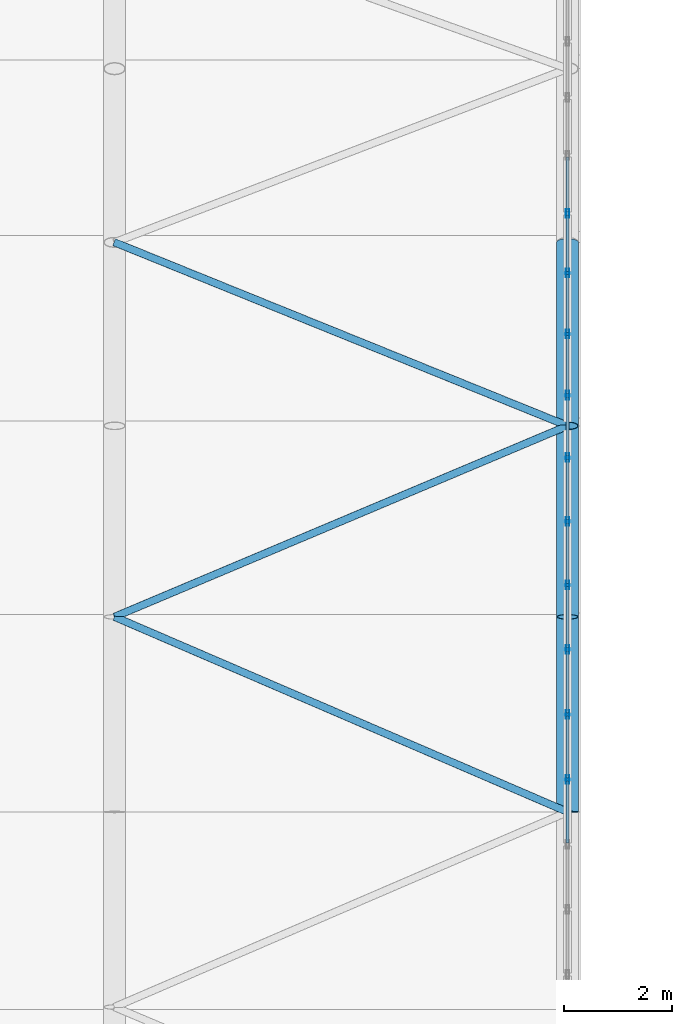
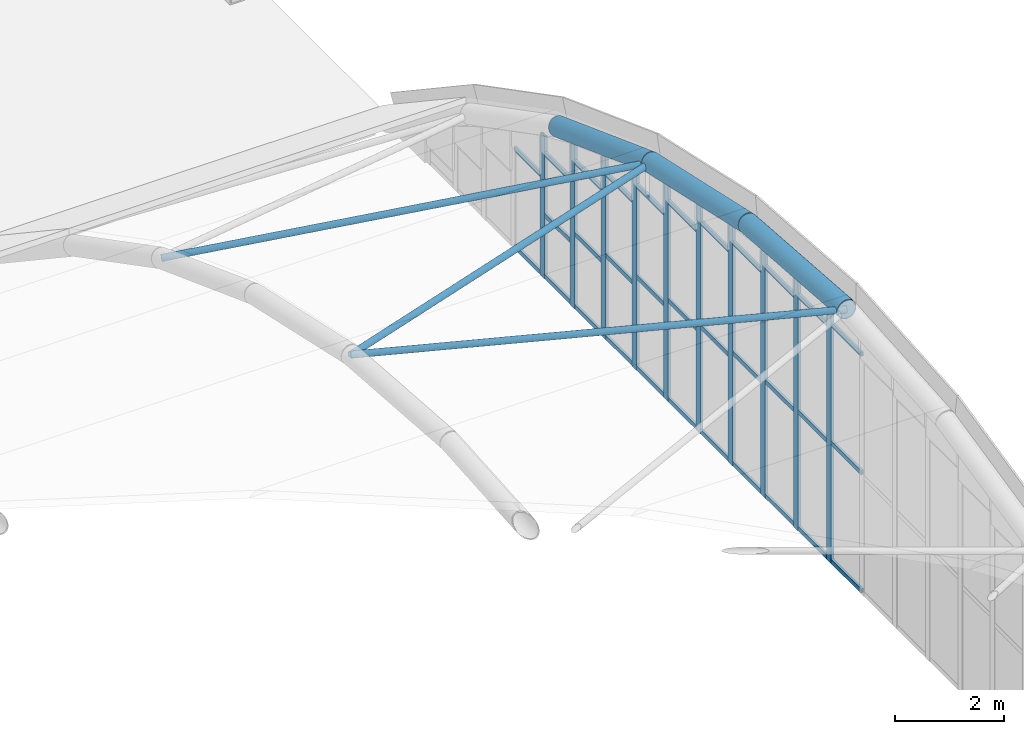
# One storey, part 12 of 77: 48 members, 1 element without a shape of its own.
"""IFC4 building model written with IfcOpenShell, lengths in metres."""

from ifc_helpers import new_model, si_unit, direction, frame, origin, origin_2d, place, context, subcontext, project, spatial, hollow_rectangle, hollow_circle, extrude, material, material_profile, profile_set, type_object, element, aggregate, save


model = new_model("IFC4")

# Units and contexts
model_context = context("Model", 3, precision=1e-05, world=origin(), true_north=direction((0.0, 1.0)))
body_context = subcontext(model_context, "Body", "Model", "MODEL_VIEW")
ifc_project = project(units=[si_unit("LENGTHUNIT", "METRE"), si_unit("AREAUNIT", "SQUARE_METRE"), si_unit("VOLUMEUNIT", "CUBIC_METRE"), si_unit("PLANEANGLEUNIT", "RADIAN"), si_unit("MASSUNIT", "GRAM", prefix="KILO")], contexts=[model_context])

# Site, building, storey
site_placement = place(None, origin())
site = spatial("IfcSite", under=ifc_project, at=site_placement, CompositionType="ELEMENT")
building_placement = place(site_placement, origin())
building = spatial("IfcBuilding", under=site, at=building_placement, Name="Catenary Quay Ferry Terminal", CompositionType="ELEMENT")
storey_placement = place(building_placement, frame((0.0, 0.0, 10.800048828125)))
storey = spatial("IfcBuildingStorey", under=building, at=storey_placement, Name="L02", CompositionType="ELEMENT", Elevation=10.800048828125)

# Members
ifc_material_1 = material(Name="Steel S355", Category="steel")
ifc_material_profile_1 = material_profile(ifc_material_1, hollow_circle(Radius=0.06982421875, WallThickness=0.008056640625, at=origin_2d()), Name="CHS 139.7x8")
ifc_profile_set_1 = profile_set([ifc_material_profile_1], Name="Steel S355")
member_type_1 = type_object("IfcMemberType", Name="BR1 CHS 139.7x8", PredefinedType="BRACE", material=ifc_profile_set_1)
member_1_placement = place(storey_placement, frame((92.39990234375, 84.0, 6.0), z_axis=(-0.918038213702, 0.395408018626, -0.029297388788), x_axis=(-0.395577824611, -0.918432460596, 0.0)))
element("IfcMember", 1, at=member_1_placement, inside=storey, type_object=member_type_1, Name="Roof brace BR-VA-08-06", PredefinedType="BRACE", context=body_context, shape_type="SweptSolid", body=[
    extrude(hollow_circle(Radius=0.06982421875, WallThickness=0.008056640625, at=origin_2d()), origin(), (0.0, 0.0, 1.0), 9.14990234375),
])
for number, where, z_axis, x_axis, name in (
    (2, (84.0, 87.617919921875, 5.73193359375), (0.918018139604, 0.387101295395, -0.085995828168), (-0.388540645343, 0.921431585586, 0.0), "Roof brace BR-VA-08-07"),
    (3, (92.39990234375, 91.159912109375, 4.945068359375), (-0.918017489966, 0.37181229212, -0.137838701191), (-0.375395559198, -0.926864701094, 0.0), "Roof brace BR-VA-08-08"),
):
    element("IfcMember", number, at=place(storey_placement, frame(where, z_axis=z_axis, x_axis=x_axis)), inside=storey, type_object=member_type_1, Name=name, PredefinedType="BRACE", context=body_context, shape_type="SweptSolid", body=[
        extrude(hollow_circle(Radius=0.06982421875, WallThickness=0.008056640625, at=origin_2d()), origin(), (0.0, 0.0, 1.0), 9.150146484375),
    ])

# Curtain wall, members
ifc_material_2 = material(Name="Aluminium and glass", Category="aluminium")
curtain_wall_type = type_object("IfcCurtainWallType", Name="CWA", PredefinedType="NOTDEFINED", material=ifc_material_2)
curtain_wall_placement = place(storey_placement, origin())
curtain_wall = element("IfcCurtainWall", 4, at=curtain_wall_placement, inside=storey, type_object=curtain_wall_type, Name="Arch arrivals hall curtain wall CW12", PredefinedType="NOTDEFINED")
ifc_material_3 = material(Name="Aluminium", Category="aluminium")
ifc_material_profile_2 = material_profile(ifc_material_3, hollow_rectangle(XDim=0.06005859375, YDim=0.159912109375, WallThickness=0.006103515625, at=origin_2d()), Name="MU5")
ifc_profile_set_2 = profile_set([ifc_material_profile_2], Name="Aluminium")
member_type_2 = type_object("IfcMemberType", Name="MU5", PredefinedType="MULLION", material=ifc_profile_set_2)
member_2_placement = place(storey_placement, frame((92.39990234375, 84.60302734375, 0.0), z_axis=(0.0, 0.0, 1.0), x_axis=(-1.0, 0.0, 0.0)))
member_2 = element("IfcMember", 5, at=member_2_placement, type_object=member_type_2, Name="CW12 mullion 15", PredefinedType="MULLION", context=body_context, shape_type="SweptSolid", body=[
    extrude(hollow_rectangle(XDim=0.06005859375, YDim=0.159912109375, WallThickness=0.006103515625, at=origin_2d()), origin(), (0.0, 0.0, 1.0), 5.7353515625),
])
member_3_placement = place(storey_placement, frame((92.39990234375, 85.80908203125, 0.0), z_axis=(0.0, 0.0, 1.0), x_axis=(-1.0, 0.0, 0.0)))
member_3 = element("IfcMember", 6, at=member_3_placement, type_object=member_type_2, Name="CW12 mullion 16", PredefinedType="MULLION", context=body_context, shape_type="SweptSolid", body=[
    extrude(hollow_rectangle(XDim=0.06005859375, YDim=0.159912109375, WallThickness=0.006103515625, at=origin_2d()), origin(), (0.0, 0.0, 1.0), 5.64599609375),
])
member_4_placement = place(storey_placement, frame((92.39990234375, 87.014892578125, 0.0), z_axis=(0.0, 0.0, 1.0), x_axis=(-1.0, 0.0, 0.0)))
member_4 = element("IfcMember", 7, at=member_4_placement, type_object=member_type_2, Name="CW12 mullion 17", PredefinedType="MULLION", context=body_context, shape_type="SweptSolid", body=[
    extrude(hollow_rectangle(XDim=0.06005859375, YDim=0.159912109375, WallThickness=0.006103515625, at=origin_2d()), origin(), (0.0, 0.0, 1.0), 5.556640625),
])
member_5_placement = place(storey_placement, frame((92.39990234375, 88.208251953125, 0.0), z_axis=(0.0, 0.0, 1.0), x_axis=(-1.0, 0.0, 0.0)))
member_5 = element("IfcMember", 8, at=member_5_placement, type_object=member_type_2, Name="CW12 mullion 18", PredefinedType="MULLION", context=body_context, shape_type="SweptSolid", body=[
    extrude(hollow_rectangle(XDim=0.06005859375, YDim=0.159912109375, WallThickness=0.006103515625, at=origin_2d()), origin(), (0.0, 0.0, 1.0), 5.380859375),
])
member_6_placement = place(storey_placement, frame((92.39990234375, 89.388916015625, 0.0), z_axis=(0.0, 0.0, 1.0), x_axis=(-1.0, 0.0, 0.0)))
member_6 = element("IfcMember", 9, at=member_6_placement, type_object=member_type_2, Name="CW12 mullion 19", PredefinedType="MULLION", context=body_context, shape_type="SweptSolid", body=[
    extrude(hollow_rectangle(XDim=0.06005859375, YDim=0.159912109375, WallThickness=0.006103515625, at=origin_2d()), origin(), (0.0, 0.0, 1.0), 5.118408203125),
])
member_7_placement = place(storey_placement, frame((92.39990234375, 90.569580078125, 0.0), z_axis=(0.0, 0.0, 1.0), x_axis=(-1.0, 0.0, 0.0)))
member_7 = element("IfcMember", 10, at=member_7_placement, type_object=member_type_2, Name="CW12 mullion 20", PredefinedType="MULLION", context=body_context, shape_type="SweptSolid", body=[
    extrude(hollow_rectangle(XDim=0.06005859375, YDim=0.159912109375, WallThickness=0.006103515625, at=origin_2d()), origin(), (0.0, 0.0, 1.0), 4.856201171875),
])
member_8_placement = place(storey_placement, frame((92.39990234375, 91.72705078125, 0.0), z_axis=(0.0, 0.0, 1.0), x_axis=(-1.0, 0.0, 0.0)))
member_8 = element("IfcMember", 11, at=member_8_placement, type_object=member_type_2, Name="CW12 mullion 21", PredefinedType="MULLION", context=body_context, shape_type="SweptSolid", body=[
    extrude(hollow_rectangle(XDim=0.06005859375, YDim=0.159912109375, WallThickness=0.006103515625, at=origin_2d()), origin(), (0.0, 0.0, 1.0), 4.514892578125),
])
member_9_placement = place(storey_placement, frame((92.39990234375, 92.861083984375, 0.0), z_axis=(0.0, 0.0, 1.0), x_axis=(-1.0, 0.0, 0.0)))
member_9 = element("IfcMember", 12, at=member_9_placement, type_object=member_type_2, Name="CW12 mullion 22", PredefinedType="MULLION", context=body_context, shape_type="SweptSolid", body=[
    extrude(hollow_rectangle(XDim=0.06005859375, YDim=0.159912109375, WallThickness=0.006103515625, at=origin_2d()), origin(), (0.0, 0.0, 1.0), 4.094482421875),
])
member_10_placement = place(storey_placement, frame((92.39990234375, 93.9951171875, 0.0), z_axis=(0.0, 0.0, 1.0), x_axis=(-1.0, 0.0, 0.0)))
member_10 = element("IfcMember", 13, at=member_10_placement, type_object=member_type_2, Name="CW12 mullion 23", PredefinedType="MULLION", context=body_context, shape_type="SweptSolid", body=[
    extrude(hollow_rectangle(XDim=0.06005859375, YDim=0.159912109375, WallThickness=0.006103515625, at=origin_2d()), origin(), (0.0, 0.0, 1.0), 3.674072265625),
])
member_11_placement = place(storey_placement, frame((92.39990234375, 95.0986328125, 0.0), z_axis=(0.0, 0.0, 1.0), x_axis=(-1.0, 0.0, 0.0)))
member_11 = element("IfcMember", 14, at=member_11_placement, type_object=member_type_2, Name="CW12 mullion 24", PredefinedType="MULLION", context=body_context, shape_type="SweptSolid", body=[
    extrude(hollow_rectangle(XDim=0.06005859375, YDim=0.159912109375, WallThickness=0.006103515625, at=origin_2d()), origin(), (0.0, 0.0, 1.0), 3.185546875),
])
ifc_material_4 = material(Name="Aluminium", Category="aluminium")
ifc_material_profile_3 = material_profile(ifc_material_4, hollow_rectangle(XDim=0.050048828125, YDim=0.10009765625, WallThickness=0.00390625, at=origin_2d()), Name="TR4")
ifc_profile_set_3 = profile_set([ifc_material_profile_3], Name="Aluminium")
member_type_3 = type_object("IfcMemberType", Name="TR4", PredefinedType="USERDEFINED", material=ifc_profile_set_3)
member_12_placement = place(storey_placement, frame((92.39990234375, 83.427001953125, 0.050048828125), z_axis=(0.0, 1.0, 0.0), x_axis=(-1.0, 0.0, 0.0)))
member_12 = element("IfcMember", 15, at=member_12_placement, type_object=member_type_3, Name="CW12 transom 14.1", ObjectType="TRANSOM", PredefinedType="USERDEFINED", context=body_context, shape_type="SweptSolid", body=[
    extrude(hollow_rectangle(XDim=0.050048828125, YDim=0.10009765625, WallThickness=0.00390625, at=origin_2d()), origin(), (0.0, 0.0, 1.0), 1.14599609375),
])
member_13_placement = place(storey_placement, frame((92.39990234375, 83.427001953125, 2.697509765625), z_axis=(0.0, 1.0, 0.0), x_axis=(-1.0, 0.0, 0.0)))
member_13 = element("IfcMember", 16, at=member_13_placement, type_object=member_type_3, Name="CW12 transom 14.2", ObjectType="TRANSOM", PredefinedType="USERDEFINED", context=body_context, shape_type="SweptSolid", body=[
    extrude(hollow_rectangle(XDim=0.050048828125, YDim=0.10009765625, WallThickness=0.00390625, at=origin_2d()), origin(), (0.0, 0.0, 1.0), 1.14599609375),
])
member_14_placement = place(storey_placement, frame((92.39990234375, 83.427001953125, 5.34521484375), z_axis=(0.0, 1.0, 0.0), x_axis=(-1.0, 0.0, 0.0)))
member_14 = element("IfcMember", 17, at=member_14_placement, type_object=member_type_3, Name="CW12 transom 14.3", ObjectType="TRANSOM", PredefinedType="USERDEFINED", context=body_context, shape_type="SweptSolid", body=[
    extrude(hollow_rectangle(XDim=0.050048828125, YDim=0.10009765625, WallThickness=0.00390625, at=origin_2d()), origin(), (0.0, 0.0, 1.0), 1.14599609375),
])
member_15_placement = place(storey_placement, frame((92.39990234375, 84.633056640625, 0.050048828125), z_axis=(0.0, 1.0, 0.0), x_axis=(-1.0, 0.0, 0.0)))
member_15 = element("IfcMember", 18, at=member_15_placement, type_object=member_type_3, Name="CW12 transom 15.1", ObjectType="TRANSOM", PredefinedType="USERDEFINED", context=body_context, shape_type="SweptSolid", body=[
    extrude(hollow_rectangle(XDim=0.050048828125, YDim=0.10009765625, WallThickness=0.00390625, at=origin_2d()), origin(), (0.0, 0.0, 1.0), 1.14599609375),
])
member_16_placement = place(storey_placement, frame((92.39990234375, 84.633056640625, 2.65283203125), z_axis=(0.0, 1.0, 0.0), x_axis=(-1.0, 0.0, 0.0)))
member_16 = element("IfcMember", 19, at=member_16_placement, type_object=member_type_3, Name="CW12 transom 15.2", ObjectType="TRANSOM", PredefinedType="USERDEFINED", context=body_context, shape_type="SweptSolid", body=[
    extrude(hollow_rectangle(XDim=0.050048828125, YDim=0.10009765625, WallThickness=0.00390625, at=origin_2d()), origin(), (0.0, 0.0, 1.0), 1.14599609375),
])
member_17_placement = place(storey_placement, frame((92.39990234375, 84.633056640625, 5.255859375), z_axis=(0.0, 1.0, 0.0), x_axis=(-1.0, 0.0, 0.0)))
member_17 = element("IfcMember", 20, at=member_17_placement, type_object=member_type_3, Name="CW12 transom 15.3", ObjectType="TRANSOM", PredefinedType="USERDEFINED", context=body_context, shape_type="SweptSolid", body=[
    extrude(hollow_rectangle(XDim=0.050048828125, YDim=0.10009765625, WallThickness=0.00390625, at=origin_2d()), origin(), (0.0, 0.0, 1.0), 1.14599609375),
])
member_18_placement = place(storey_placement, frame((92.39990234375, 85.839111328125, 0.050048828125), z_axis=(0.0, 1.0, 0.0), x_axis=(-1.0, 0.0, 0.0)))
member_18 = element("IfcMember", 21, at=member_18_placement, type_object=member_type_3, Name="CW12 transom 16.1", ObjectType="TRANSOM", PredefinedType="USERDEFINED", context=body_context, shape_type="SweptSolid", body=[
    extrude(hollow_rectangle(XDim=0.050048828125, YDim=0.10009765625, WallThickness=0.00390625, at=origin_2d()), origin(), (0.0, 0.0, 1.0), 1.14599609375),
])
member_19_placement = place(storey_placement, frame((92.39990234375, 85.839111328125, 2.6083984375), z_axis=(0.0, 1.0, 0.0), x_axis=(-1.0, 0.0, 0.0)))
member_19 = element("IfcMember", 22, at=member_19_placement, type_object=member_type_3, Name="CW12 transom 16.2", ObjectType="TRANSOM", PredefinedType="USERDEFINED", context=body_context, shape_type="SweptSolid", body=[
    extrude(hollow_rectangle(XDim=0.050048828125, YDim=0.10009765625, WallThickness=0.00390625, at=origin_2d()), origin(), (0.0, 0.0, 1.0), 1.14599609375),
])
member_20_placement = place(storey_placement, frame((92.39990234375, 85.839111328125, 5.16650390625), z_axis=(0.0, 1.0, 0.0), x_axis=(-1.0, 0.0, 0.0)))
member_20 = element("IfcMember", 23, at=member_20_placement, type_object=member_type_3, Name="CW12 transom 16.3", ObjectType="TRANSOM", PredefinedType="USERDEFINED", context=body_context, shape_type="SweptSolid", body=[
    extrude(hollow_rectangle(XDim=0.050048828125, YDim=0.10009765625, WallThickness=0.00390625, at=origin_2d()), origin(), (0.0, 0.0, 1.0), 1.14599609375),
])
member_21_placement = place(storey_placement, frame((92.39990234375, 87.044921875, 0.050048828125), z_axis=(0.0, 1.0, 0.0), x_axis=(-1.0, 0.0, 0.0)))
member_21 = element("IfcMember", 24, at=member_21_placement, type_object=member_type_3, Name="CW12 transom 17.1", ObjectType="TRANSOM", PredefinedType="USERDEFINED", context=body_context, shape_type="SweptSolid", body=[
    extrude(hollow_rectangle(XDim=0.050048828125, YDim=0.10009765625, WallThickness=0.00390625, at=origin_2d()), origin(), (0.0, 0.0, 1.0), 1.13330078125),
])
member_22_placement = place(storey_placement, frame((92.39990234375, 87.044921875, 2.520263671875), z_axis=(0.0, 1.0, 0.0), x_axis=(-1.0, 0.0, 0.0)))
member_22 = element("IfcMember", 25, at=member_22_placement, type_object=member_type_3, Name="CW12 transom 17.2", ObjectType="TRANSOM", PredefinedType="USERDEFINED", context=body_context, shape_type="SweptSolid", body=[
    extrude(hollow_rectangle(XDim=0.050048828125, YDim=0.10009765625, WallThickness=0.00390625, at=origin_2d()), origin(), (0.0, 0.0, 1.0), 1.13330078125),
])
member_23_placement = place(storey_placement, frame((92.39990234375, 87.044921875, 4.99072265625), z_axis=(0.0, 1.0, 0.0), x_axis=(-1.0, 0.0, 0.0)))
member_23 = element("IfcMember", 26, at=member_23_placement, type_object=member_type_3, Name="CW12 transom 17.3", ObjectType="TRANSOM", PredefinedType="USERDEFINED", context=body_context, shape_type="SweptSolid", body=[
    extrude(hollow_rectangle(XDim=0.050048828125, YDim=0.10009765625, WallThickness=0.00390625, at=origin_2d()), origin(), (0.0, 0.0, 1.0), 1.13330078125),
])
member_24_placement = place(storey_placement, frame((92.39990234375, 88.23828125, 0.050048828125), z_axis=(0.0, 1.0, 0.0), x_axis=(-1.0, 0.0, 0.0)))
member_24 = element("IfcMember", 27, at=member_24_placement, type_object=member_type_3, Name="CW12 transom 18.1", ObjectType="TRANSOM", PredefinedType="USERDEFINED", context=body_context, shape_type="SweptSolid", body=[
    extrude(hollow_rectangle(XDim=0.050048828125, YDim=0.10009765625, WallThickness=0.00390625, at=origin_2d()), origin(), (0.0, 0.0, 1.0), 1.12060546875),
])
member_25_placement = place(storey_placement, frame((92.39990234375, 88.23828125, 2.38916015625), z_axis=(0.0, 1.0, 0.0), x_axis=(-1.0, 0.0, 0.0)))
member_25 = element("IfcMember", 28, at=member_25_placement, type_object=member_type_3, Name="CW12 transom 18.2", ObjectType="TRANSOM", PredefinedType="USERDEFINED", context=body_context, shape_type="SweptSolid", body=[
    extrude(hollow_rectangle(XDim=0.050048828125, YDim=0.10009765625, WallThickness=0.00390625, at=origin_2d()), origin(), (0.0, 0.0, 1.0), 1.12060546875),
])
member_26_placement = place(storey_placement, frame((92.39990234375, 88.23828125, 4.728515625), z_axis=(0.0, 1.0, 0.0), x_axis=(-1.0, 0.0, 0.0)))
member_26 = element("IfcMember", 29, at=member_26_placement, type_object=member_type_3, Name="CW12 transom 18.3", ObjectType="TRANSOM", PredefinedType="USERDEFINED", context=body_context, shape_type="SweptSolid", body=[
    extrude(hollow_rectangle(XDim=0.050048828125, YDim=0.10009765625, WallThickness=0.00390625, at=origin_2d()), origin(), (0.0, 0.0, 1.0), 1.12060546875),
])
member_27_placement = place(storey_placement, frame((92.39990234375, 89.4189453125, 0.050048828125), z_axis=(0.0, 1.0, 0.0), x_axis=(-1.0, 0.0, 0.0)))
member_27 = element("IfcMember", 30, at=member_27_placement, type_object=member_type_3, Name="CW12 transom 19.1", ObjectType="TRANSOM", PredefinedType="USERDEFINED", context=body_context, shape_type="SweptSolid", body=[
    extrude(hollow_rectangle(XDim=0.050048828125, YDim=0.10009765625, WallThickness=0.00390625, at=origin_2d()), origin(), (0.0, 0.0, 1.0), 1.12060546875),
])
member_28_placement = place(storey_placement, frame((92.39990234375, 89.4189453125, 2.258056640625), z_axis=(0.0, 1.0, 0.0), x_axis=(-1.0, 0.0, 0.0)))
member_28 = element("IfcMember", 31, at=member_28_placement, type_object=member_type_3, Name="CW12 transom 19.2", ObjectType="TRANSOM", PredefinedType="USERDEFINED", context=body_context, shape_type="SweptSolid", body=[
    extrude(hollow_rectangle(XDim=0.050048828125, YDim=0.10009765625, WallThickness=0.00390625, at=origin_2d()), origin(), (0.0, 0.0, 1.0), 1.12060546875),
])
member_29_placement = place(storey_placement, frame((92.39990234375, 89.4189453125, 4.466064453125), z_axis=(0.0, 1.0, 0.0), x_axis=(-1.0, 0.0, 0.0)))
member_29 = element("IfcMember", 32, at=member_29_placement, type_object=member_type_3, Name="CW12 transom 19.3", ObjectType="TRANSOM", PredefinedType="USERDEFINED", context=body_context, shape_type="SweptSolid", body=[
    extrude(hollow_rectangle(XDim=0.050048828125, YDim=0.10009765625, WallThickness=0.00390625, at=origin_2d()), origin(), (0.0, 0.0, 1.0), 1.12060546875),
])
member_30_placement = place(storey_placement, frame((92.39990234375, 90.599609375, 0.050048828125), z_axis=(0.0, 1.0, 0.0), x_axis=(-1.0, 0.0, 0.0)))
member_30 = element("IfcMember", 33, at=member_30_placement, type_object=member_type_3, Name="CW12 transom 20.1", ObjectType="TRANSOM", PredefinedType="USERDEFINED", context=body_context, shape_type="SweptSolid", body=[
    extrude(hollow_rectangle(XDim=0.050048828125, YDim=0.10009765625, WallThickness=0.00390625, at=origin_2d()), origin(), (0.0, 0.0, 1.0), 1.097412109375),
])
member_31_placement = place(storey_placement, frame((92.39990234375, 90.599609375, 2.08740234375), z_axis=(0.0, 1.0, 0.0), x_axis=(-1.0, 0.0, 0.0)))
member_31 = element("IfcMember", 34, at=member_31_placement, type_object=member_type_3, Name="CW12 transom 20.2", ObjectType="TRANSOM", PredefinedType="USERDEFINED", context=body_context, shape_type="SweptSolid", body=[
    extrude(hollow_rectangle(XDim=0.050048828125, YDim=0.10009765625, WallThickness=0.00390625, at=origin_2d()), origin(), (0.0, 0.0, 1.0), 1.097412109375),
])
member_32_placement = place(storey_placement, frame((92.39990234375, 90.599609375, 4.124755859375), z_axis=(0.0, 1.0, 0.0), x_axis=(-1.0, 0.0, 0.0)))
member_32 = element("IfcMember", 35, at=member_32_placement, type_object=member_type_3, Name="CW12 transom 20.3", ObjectType="TRANSOM", PredefinedType="USERDEFINED", context=body_context, shape_type="SweptSolid", body=[
    extrude(hollow_rectangle(XDim=0.050048828125, YDim=0.10009765625, WallThickness=0.00390625, at=origin_2d()), origin(), (0.0, 0.0, 1.0), 1.097412109375),
])
member_33_placement = place(storey_placement, frame((92.39990234375, 91.757080078125, 0.050048828125), z_axis=(0.0, 1.0, 0.0), x_axis=(-1.0, 0.0, 0.0)))
member_33 = element("IfcMember", 36, at=member_33_placement, type_object=member_type_3, Name="CW12 transom 21.1", ObjectType="TRANSOM", PredefinedType="USERDEFINED", context=body_context, shape_type="SweptSolid", body=[
    extrude(hollow_rectangle(XDim=0.050048828125, YDim=0.10009765625, WallThickness=0.00390625, at=origin_2d()), origin(), (0.0, 0.0, 1.0), 1.073974609375),
])
member_34_placement = place(storey_placement, frame((92.39990234375, 91.757080078125, 1.877197265625), z_axis=(0.0, 1.0, 0.0), x_axis=(-1.0, 0.0, 0.0)))
member_34 = element("IfcMember", 37, at=member_34_placement, type_object=member_type_3, Name="CW12 transom 21.2", ObjectType="TRANSOM", PredefinedType="USERDEFINED", context=body_context, shape_type="SweptSolid", body=[
    extrude(hollow_rectangle(XDim=0.050048828125, YDim=0.10009765625, WallThickness=0.00390625, at=origin_2d()), origin(), (0.0, 0.0, 1.0), 1.073974609375),
])
member_35_placement = place(storey_placement, frame((92.39990234375, 91.757080078125, 3.704345703125), z_axis=(0.0, 1.0, 0.0), x_axis=(-1.0, 0.0, 0.0)))
member_35 = element("IfcMember", 38, at=member_35_placement, type_object=member_type_3, Name="CW12 transom 21.3", ObjectType="TRANSOM", PredefinedType="USERDEFINED", context=body_context, shape_type="SweptSolid", body=[
    extrude(hollow_rectangle(XDim=0.050048828125, YDim=0.10009765625, WallThickness=0.00390625, at=origin_2d()), origin(), (0.0, 0.0, 1.0), 1.073974609375),
])
member_36_placement = place(storey_placement, frame((92.39990234375, 92.89111328125, 0.050048828125), z_axis=(0.0, 1.0, 0.0), x_axis=(-1.0, 0.0, 0.0)))
member_36 = element("IfcMember", 39, at=member_36_placement, type_object=member_type_3, Name="CW12 transom 22.1", ObjectType="TRANSOM", PredefinedType="USERDEFINED", context=body_context, shape_type="SweptSolid", body=[
    extrude(hollow_rectangle(XDim=0.050048828125, YDim=0.10009765625, WallThickness=0.00390625, at=origin_2d()), origin(), (0.0, 0.0, 1.0), 1.073974609375),
])
member_37_placement = place(storey_placement, frame((92.39990234375, 92.89111328125, 1.6669921875), z_axis=(0.0, 1.0, 0.0), x_axis=(-1.0, 0.0, 0.0)))
member_37 = element("IfcMember", 40, at=member_37_placement, type_object=member_type_3, Name="CW12 transom 22.2", ObjectType="TRANSOM", PredefinedType="USERDEFINED", context=body_context, shape_type="SweptSolid", body=[
    extrude(hollow_rectangle(XDim=0.050048828125, YDim=0.10009765625, WallThickness=0.00390625, at=origin_2d()), origin(), (0.0, 0.0, 1.0), 1.073974609375),
])
member_38_placement = place(storey_placement, frame((92.39990234375, 92.89111328125, 3.2841796875), z_axis=(0.0, 1.0, 0.0), x_axis=(-1.0, 0.0, 0.0)))
member_38 = element("IfcMember", 41, at=member_38_placement, type_object=member_type_3, Name="CW12 transom 22.3", ObjectType="TRANSOM", PredefinedType="USERDEFINED", context=body_context, shape_type="SweptSolid", body=[
    extrude(hollow_rectangle(XDim=0.050048828125, YDim=0.10009765625, WallThickness=0.00390625, at=origin_2d()), origin(), (0.0, 0.0, 1.0), 1.073974609375),
])
member_39_placement = place(storey_placement, frame((92.39990234375, 94.02490234375, 0.050048828125), z_axis=(0.0, 1.0, 0.0), x_axis=(-1.0, 0.0, 0.0)))
member_39 = element("IfcMember", 42, at=member_39_placement, type_object=member_type_3, Name="CW12 transom 23.1", ObjectType="TRANSOM", PredefinedType="USERDEFINED", context=body_context, shape_type="SweptSolid", body=[
    extrude(hollow_rectangle(XDim=0.050048828125, YDim=0.10009765625, WallThickness=0.00390625, at=origin_2d()), origin(), (0.0, 0.0, 1.0), 1.043701171875),
])
member_40_placement = place(storey_placement, frame((92.39990234375, 94.02490234375, 1.422607421875), z_axis=(0.0, 1.0, 0.0), x_axis=(-1.0, 0.0, 0.0)))
member_40 = element("IfcMember", 43, at=member_40_placement, type_object=member_type_3, Name="CW12 transom 23.2", ObjectType="TRANSOM", PredefinedType="USERDEFINED", context=body_context, shape_type="SweptSolid", body=[
    extrude(hollow_rectangle(XDim=0.050048828125, YDim=0.10009765625, WallThickness=0.00390625, at=origin_2d()), origin(), (0.0, 0.0, 1.0), 1.043701171875),
])
member_41_placement = place(storey_placement, frame((92.39990234375, 94.02490234375, 2.79541015625), z_axis=(0.0, 1.0, 0.0), x_axis=(-1.0, 0.0, 0.0)))
member_41 = element("IfcMember", 44, at=member_41_placement, type_object=member_type_3, Name="CW12 transom 23.3", ObjectType="TRANSOM", PredefinedType="USERDEFINED", context=body_context, shape_type="SweptSolid", body=[
    extrude(hollow_rectangle(XDim=0.050048828125, YDim=0.10009765625, WallThickness=0.00390625, at=origin_2d()), origin(), (0.0, 0.0, 1.0), 1.043701171875),
])
member_42_placement = place(storey_placement, frame((92.39990234375, 95.128662109375, 0.050048828125), z_axis=(0.0, 1.0, 0.0), x_axis=(-1.0, 0.0, 0.0)))
member_42 = element("IfcMember", 45, at=member_42_placement, type_object=member_type_3, Name="CW12 transom 24.1", ObjectType="TRANSOM", PredefinedType="USERDEFINED", context=body_context, shape_type="SweptSolid", body=[
    extrude(hollow_rectangle(XDim=0.050048828125, YDim=0.10009765625, WallThickness=0.00390625, at=origin_2d()), origin(), (0.0, 0.0, 1.0), 1.013427734375),
])
member_43_placement = place(storey_placement, frame((92.39990234375, 95.128662109375, 2.238525390625), z_axis=(0.0, 1.0, 0.0), x_axis=(-1.0, 0.0, 0.0)))
member_43 = element("IfcMember", 46, at=member_43_placement, type_object=member_type_3, Name="CW12 transom 24.2", ObjectType="TRANSOM", PredefinedType="USERDEFINED", context=body_context, shape_type="SweptSolid", body=[
    extrude(hollow_rectangle(XDim=0.050048828125, YDim=0.10009765625, WallThickness=0.00390625, at=origin_2d()), origin(), (0.0, 0.0, 1.0), 1.013427734375),
])
aggregate(curtain_wall, [member_2, member_3, member_4, member_5, member_6, member_7, member_8, member_9, member_10, member_11, member_12, member_13, member_14, member_15, member_16, member_17, member_18, member_19, member_20, member_21, member_22, member_23, member_24, member_25, member_26, member_27, member_28, member_29, member_30, member_31, member_32, member_33, member_34, member_35, member_36, member_37, member_38, member_39, member_40, member_41, member_42, member_43])

# Members
ifc_material_5 = material(Name="Steel S355", Category="steel")
ifc_material_profile_4 = material_profile(ifc_material_5, hollow_circle(Radius=0.203125, WallThickness=0.01611328125, at=origin_2d()), Name="CHS 406.4x16")
ifc_profile_set_4 = profile_set([ifc_material_profile_4], Name="Steel S355")
member_type_4 = type_object("IfcMemberType", Name="VR3 CHS 406.4x16", PredefinedType="RAFTER", material=ifc_profile_set_4)
member_44_placement = place(storey_placement, frame((92.39990234375, 84.0, 6.0), z_axis=(0.0, 0.997266285305, -0.073891516382), x_axis=(-1.0, 0.0, 0.0)))
element("IfcMember", 47, at=member_44_placement, inside=storey, type_object=member_type_4, Name="Vault rib VA-09-06", PredefinedType="RAFTER", context=body_context, shape_type="SweptSolid", body=[
    extrude(hollow_circle(Radius=0.203125, WallThickness=0.01611328125, at=origin_2d()), origin(), (0.0, 0.0, 1.0), 3.6279296875),
])
for number, where, z_axis, x_axis, name in (
    (48, (92.39990234375, 87.617919921875, 5.73193359375), (0.0, 0.976201307112, -0.216866336698), (-1.0, 0.0, 0.0), "Vault rib VA-09-07"),
    (49, (92.39990234375, 91.159912109375, 4.945068359375), (0.0, 0.937641576687, -0.347603615728), (-1.0, 0.0, 0.0), "Vault rib VA-09-08"),
):
    element("IfcMember", number, at=place(storey_placement, frame(where, z_axis=z_axis, x_axis=x_axis)), inside=storey, type_object=member_type_4, Name=name, PredefinedType="RAFTER", context=body_context, shape_type="SweptSolid", body=[
        extrude(hollow_circle(Radius=0.203125, WallThickness=0.01611328125, at=origin_2d()), origin(), (0.0, 0.0, 1.0), 3.62841796875),
    ])

save(model, "model.ifc")
